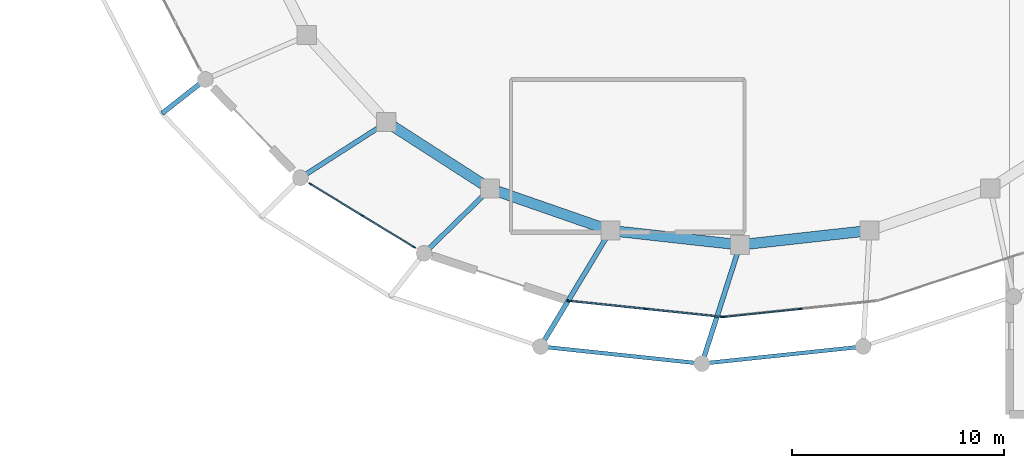
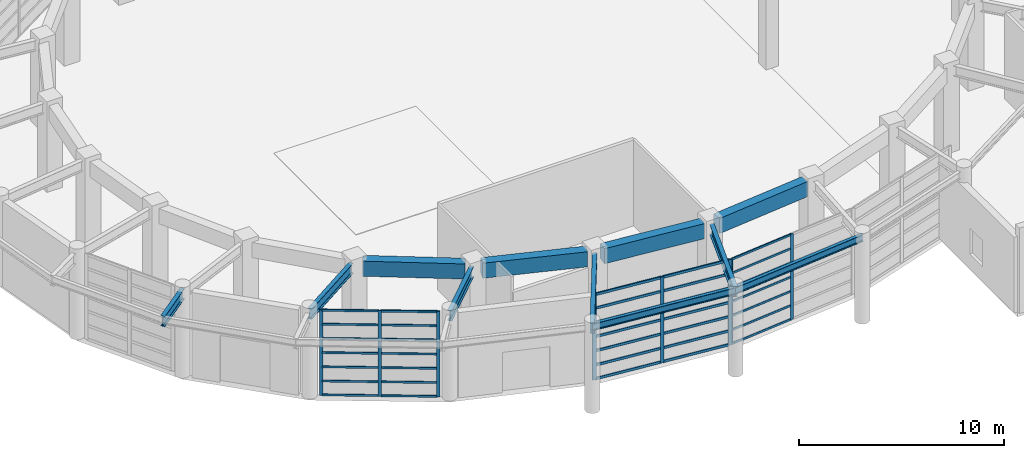
# One storey, part 3 of 52: 43 members, 11 beams, 3 elements without a shape of their own.
"""IFC4 building model written with IfcOpenShell, lengths in metres."""

from ifc_helpers import new_model, si_unit, direction, frame, origin, origin_2d, place, context, subcontext, project, spatial, rectangle, i_section, extrude, material, material_profile, profile_set, type_object, element, aggregate, save


model = new_model("IFC4")

# Units and contexts
model_context = context("Model", 3, precision=1e-05, world=origin(), true_north=direction((0.0, 1.0)))
body_context = subcontext(model_context, "Body", "Model", "MODEL_VIEW")
ifc_project = project(units=[si_unit("LENGTHUNIT", "METRE"), si_unit("AREAUNIT", "SQUARE_METRE"), si_unit("VOLUMEUNIT", "CUBIC_METRE"), si_unit("PLANEANGLEUNIT", "RADIAN"), si_unit("MASSUNIT", "GRAM", prefix="KILO")], contexts=[model_context])

# Site, building, storey
site_placement = place(None, origin())
site = spatial("IfcSite", under=ifc_project, at=site_placement, CompositionType="ELEMENT")
building_placement = place(site_placement, origin())
building = spatial("IfcBuilding", under=site, at=building_placement, Name="Parian Resonance Hall", CompositionType="ELEMENT")
storey_placement = place(building_placement, origin())
storey = spatial("IfcBuildingStorey", under=building, at=storey_placement, Name="L00", CompositionType="ELEMENT", Elevation=0.0)

# Beams
ifc_material_1 = material(Name="Concrete C40/50", Category="concrete")
ifc_material_profile_1 = material_profile(ifc_material_1, rectangle(XDim=0.5, YDim=0.89990234375, at=origin_2d()), Name="RC-BM-500x900")
ifc_profile_set_1 = profile_set([ifc_material_profile_1], Name="Concrete C40/50")
beam_type_1 = type_object("IfcBeamType", Name="BM-RC500x900", PredefinedType="USERDEFINED", material=ifc_profile_set_1)
beam_1_placement = place(storey_placement, frame((27.648681640625, 29.78271484375, 4.679931640625), z_axis=(0.840822266108, -0.541311293819, 0.0), x_axis=(0.541311293819, 0.840822266108, 0.0)))
element("IfcBeam", 1, at=beam_1_placement, inside=storey, type_object=beam_type_1, Name="Concert hall drum ring beam L00-16", ObjectType="GIRDER", PredefinedType="USERDEFINED", context=body_context, shape_type="SweptSolid", body=[
    extrude(rectangle(XDim=0.5, YDim=0.89990234375, at=origin_2d()), origin(), (0.0, 0.0, 1.0), 5.012939453125),
])
beam_2_placement = place(storey_placement, frame((32.577880859375, 26.721435546875, 4.679931640625), z_axis=(0.944593815742, -0.328241562362, 0.0), x_axis=(0.328241562362, 0.944593815742, 0.0)))
element("IfcBeam", 2, at=beam_2_placement, inside=storey, type_object=beam_type_1, Name="Concert hall drum ring beam L00-17", ObjectType="GIRDER", PredefinedType="USERDEFINED", context=body_context, shape_type="SweptSolid", body=[
    extrude(rectangle(XDim=0.5, YDim=0.89990234375, at=origin_2d()), origin(), (0.0, 0.0, 1.0), 5.225830078125),
])
for number, where, z_axis, x_axis, name in (
    (3, (38.28955078125, 24.830810546875, 4.679931640625), (0.993953165009, -0.109804853117, 0.0), (0.109804853117, 0.993953165009, 0.0), "Concert hall drum ring beam L00-18"),
    (4, (44.397705078125, 24.243896484375, 4.679931640625), (0.993953165009, 0.109804853117, 0.0), (-0.109804853117, 0.993953165009, 0.0), "Concert hall drum ring beam L00-19"),
):
    element("IfcBeam", number, at=place(storey_placement, frame(where, z_axis=z_axis, x_axis=x_axis)), inside=storey, type_object=beam_type_1, Name=name, ObjectType="GIRDER", PredefinedType="USERDEFINED", context=body_context, shape_type="SweptSolid", body=[
        extrude(rectangle(XDim=0.5, YDim=0.89990234375, at=origin_2d()), origin(), (0.0, 0.0, 1.0), 5.344970703125),
    ])
ifc_material_2 = material(Name="Steel S355", Category="steel")
ifc_material_profile_2 = material_profile(ifc_material_2, i_section(OverallWidth=0.180908203125, OverallDepth=0.4169921875, WebThickness=0.010986328125, FlangeThickness=0.018310546875, FilletRadius=0.01513671875, at=origin_2d()), Name="W410x85")
ifc_profile_set_2 = profile_set([ifc_material_profile_2], Name="Steel S355")
beam_type_2 = type_object("IfcBeamType", Name="BM-W410x85", PredefinedType="SPANDREL", material=ifc_profile_set_2)
beam_3_placement = place(storey_placement, frame((34.5908203125, 19.404296875, 4.92138671875), z_axis=(0.994461306256, -0.105103331819, 0.0), x_axis=(0.105103331819, 0.994461306256, 0.0)))
element("IfcBeam", 5, at=beam_3_placement, inside=storey, type_object=beam_type_2, Name="Elliptical R1 perimeter spandrel beam 18", PredefinedType="SPANDREL", context=body_context, shape_type="SweptSolid", body=[
    extrude(i_section(OverallWidth=0.180908203125, OverallDepth=0.4169921875, WebThickness=0.010986328125, FlangeThickness=0.018310546875, FilletRadius=0.01513671875, at=origin_2d()), origin(), (0.0, 0.0, 1.0), 7.651611328125),
])
beam_4_placement = place(storey_placement, frame((42.199951171875, 18.60009765625, 4.92138671875), z_axis=(0.994461658712, 0.105099996913, 0.0), x_axis=(-0.105099996913, 0.994461658712, 0.0)))
element("IfcBeam", 6, at=beam_4_placement, inside=storey, type_object=beam_type_2, Name="Elliptical R1 perimeter spandrel beam 19", PredefinedType="SPANDREL", context=body_context, shape_type="SweptSolid", body=[
    extrude(i_section(OverallWidth=0.180908203125, OverallDepth=0.4169921875, WebThickness=0.010986328125, FlangeThickness=0.018310546875, FilletRadius=0.01513671875, at=origin_2d()), origin(), (0.0, 0.0, 1.0), 7.65185546875),
])
ifc_material_3 = material(Name="Steel S355", Category="steel")
ifc_material_profile_3 = material_profile(ifc_material_3, i_section(OverallWidth=0.22998046875, OverallDepth=0.616943359375, WebThickness=0.01318359375, FlangeThickness=0.022216796875, FilletRadius=0.017822265625, at=origin_2d()), Name="W610x140")
ifc_profile_set_3 = profile_set([ifc_material_profile_3], Name="Steel S355")
beam_type_3 = type_object("IfcBeamType", Name="CG1 W610x140", PredefinedType="USERDEFINED", material=ifc_profile_set_3)
beam_5_placement = place(storey_placement, frame((18.778076171875, 32.0, 4.821533203125), z_axis=(-0.786697338614, -0.617338883773, 0.0), x_axis=(0.617338883773, -0.786697338614, 0.0)))
element("IfcBeam", 7, at=beam_5_placement, inside=storey, type_object=beam_type_3, Name="Radial ring cantilever girder R1-15", ObjectType="GIRDER", PredefinedType="USERDEFINED", context=body_context, shape_type="SweptSolid", body=[
    extrude(i_section(OverallWidth=0.22998046875, OverallDepth=0.616943359375, WebThickness=0.01318359375, FlangeThickness=0.022216796875, FilletRadius=0.017822265625, at=origin_2d()), origin(), (0.0, 0.0, 1.0), 2.592041015625),
])
beam_6_placement = place(storey_placement, frame((26.993896484375, 29.757080078125, 4.821533203125), z_axis=(-0.841632267779, -0.540051040027, 0.0), x_axis=(0.540051040027, -0.841632267779, 0.0)))
element("IfcBeam", 8, at=beam_6_placement, inside=storey, type_object=beam_type_3, Name="Radial ring back-span girder R1-16", ObjectType="GIRDER", PredefinedType="USERDEFINED", context=body_context, shape_type="SweptSolid", body=[
    extrude(i_section(OverallWidth=0.22998046875, OverallDepth=0.616943359375, WebThickness=0.01318359375, FlangeThickness=0.022216796875, FilletRadius=0.017822265625, at=origin_2d()), origin(), (0.0, 0.0, 1.0), 4.43701171875),
])
beam_7_placement = place(storey_placement, frame((31.9287109375, 26.558837890625, 4.821533203125), z_axis=(-0.716010951011, -0.698089047352, 0.0), x_axis=(0.698089047352, -0.716010951011, 0.0)))
element("IfcBeam", 9, at=beam_7_placement, inside=storey, type_object=beam_type_3, Name="Radial ring back-span girder R1-17", ObjectType="GIRDER", PredefinedType="USERDEFINED", context=body_context, shape_type="SweptSolid", body=[
    extrude(i_section(OverallWidth=0.22998046875, OverallDepth=0.616943359375, WebThickness=0.01318359375, FlangeThickness=0.022216796875, FilletRadius=0.017822265625, at=origin_2d()), origin(), (0.0, 0.0, 1.0), 3.950439453125),
])
beam_8_placement = place(storey_placement, frame((37.685302734375, 24.5322265625, 4.821533203125), z_axis=(-0.516670119869, -0.856184552088, 0.0), x_axis=(0.856184552088, -0.516670119869, 0.0)))
element("IfcBeam", 10, at=beam_8_placement, inside=storey, type_object=beam_type_3, Name="Radial spine girder R1-18", ObjectType="GIRDER", PredefinedType="USERDEFINED", context=body_context, shape_type="SweptSolid", body=[
    extrude(i_section(OverallWidth=0.22998046875, OverallDepth=0.616943359375, WebThickness=0.01318359375, FlangeThickness=0.022216796875, FilletRadius=0.017822265625, at=origin_2d()), origin(), (0.0, 0.0, 1.0), 5.9892578125),
])
beam_9_placement = place(storey_placement, frame((43.877685546875, 23.819091796875, 4.821533203125), z_axis=(-0.306042336685, -0.952017903275, 0.0), x_axis=(0.952017903275, -0.306042336685, 0.0)))
element("IfcBeam", 11, at=beam_9_placement, inside=storey, type_object=beam_type_3, Name="Radial spine girder R1-19", ObjectType="GIRDER", PredefinedType="USERDEFINED", context=body_context, shape_type="SweptSolid", body=[
    extrude(i_section(OverallWidth=0.22998046875, OverallDepth=0.616943359375, WebThickness=0.01318359375, FlangeThickness=0.022216796875, FilletRadius=0.017822265625, at=origin_2d()), origin(), (0.0, 0.0, 1.0), 5.48193359375),
])

# Curtain wall, members
ifc_material_4 = material(Name="Bronze-anodised aluminium frame", Category="aluminium")
curtain_wall_type_1 = type_object("IfcCurtainWallType", Name="CW-SYS-04", PredefinedType="NOTDEFINED", material=ifc_material_4)
curtain_wall_1_placement = place(storey_placement, origin())
curtain_wall_1 = element("IfcCurtainWall", 12, at=curtain_wall_1_placement, inside=storey, type_object=curtain_wall_type_1, Name="Grand foyer recessed base curtain wall 16", PredefinedType="NOTDEFINED")
ifc_material_5 = material(Name="Bronze-anodised aluminium frame", Category="aluminium")
ifc_material_profile_4 = material_profile(ifc_material_5, rectangle(XDim=0.06494140625, YDim=0.159912109375, at=origin_2d()), Name="CWM-65x160")
ifc_profile_set_4 = profile_set([ifc_material_profile_4], Name="Bronze-anodised aluminium frame")
member_type_1 = type_object("IfcMemberType", Name="CWM-65x160", PredefinedType="MULLION", material=ifc_profile_set_4)
member_1_placement = place(storey_placement, frame((28.6171875, 24.09521484375, -0.008056640625), z_axis=(0.0, 0.0, 1.0), x_axis=(-0.520463309161, -0.853884034174, 0.0)))
member_1 = element("IfcMember", 13, at=member_1_placement, type_object=member_type_1, Name="CW-04 mullion 1", PredefinedType="MULLION", context=body_context, shape_type="SweptSolid", body=[
    extrude(rectangle(XDim=0.06494140625, YDim=0.159912109375, at=origin_2d()), origin(), (0.0, 0.0, 1.0), 5.09814453125),
])
member_2_placement = place(storey_placement, frame((26.1796875, 25.580810546875, -0.008056640625), z_axis=(0.0, 0.0, 1.0), x_axis=(-0.520463309161, -0.853884034174, 0.0)))
member_2 = element("IfcMember", 14, at=member_2_placement, type_object=member_type_1, Name="CW-04 mullion 2", PredefinedType="MULLION", context=body_context, shape_type="SweptSolid", body=[
    extrude(rectangle(XDim=0.06494140625, YDim=0.159912109375, at=origin_2d()), origin(), (0.0, 0.0, 1.0), 5.09814453125),
])
member_3_placement = place(storey_placement, frame((23.742431640625, 27.066650390625, -0.008056640625), z_axis=(0.0, 0.0, 1.0), x_axis=(-0.520463309161, -0.853884034174, 0.0)))
member_3 = element("IfcMember", 15, at=member_3_placement, type_object=member_type_1, Name="CW-04 mullion 3", PredefinedType="MULLION", context=body_context, shape_type="SweptSolid", body=[
    extrude(rectangle(XDim=0.06494140625, YDim=0.159912109375, at=origin_2d()), origin(), (0.0, 0.0, 1.0), 5.09814453125),
])

ifc_material_6 = material(Name="Bronze-anodised aluminium frame", Category="aluminium")
curtain_wall_type_2 = type_object("IfcCurtainWallType", Name="CW-SYS-01", PredefinedType="NOTDEFINED", material=ifc_material_6)
curtain_wall_2_placement = place(storey_placement, origin())
curtain_wall_2 = element("IfcCurtainWall", 16, at=curtain_wall_2_placement, inside=storey, type_object=curtain_wall_type_2, Name="Grand foyer recessed base curtain wall 19", PredefinedType="NOTDEFINED")
member_4_placement = place(storey_placement, frame((46.849365234375, 21.181640625, -0.008056640625), z_axis=(0.0, 0.0, 1.0), x_axis=(0.104013017637, -0.994575935845, 0.0)))
member_4 = element("IfcMember", 17, at=member_4_placement, type_object=member_type_1, Name="CW-01 mullion 2", PredefinedType="MULLION", context=body_context, shape_type="SweptSolid", body=[
    extrude(rectangle(XDim=0.06494140625, YDim=0.159912109375, at=origin_2d()), origin(), (0.0, 0.0, 1.0), 5.09814453125),
])
member_5_placement = place(storey_placement, frame((43.232421875, 20.803466796875, -0.008056640625), z_axis=(0.0, 0.0, 1.0), x_axis=(0.104013017637, -0.994575935845, 0.0)))
member_5 = element("IfcMember", 18, at=member_5_placement, type_object=member_type_1, Name="CW-01 mullion 3", PredefinedType="MULLION", context=body_context, shape_type="SweptSolid", body=[
    extrude(rectangle(XDim=0.06494140625, YDim=0.159912109375, at=origin_2d()), origin(), (0.0, 0.0, 1.0), 5.09814453125),
])

ifc_material_7 = material(Name="Bronze-anodised aluminium frame", Category="aluminium")
curtain_wall_type_3 = type_object("IfcCurtainWallType", Name="CW-SYS-06", PredefinedType="NOTDEFINED", material=ifc_material_7)
curtain_wall_3_placement = place(storey_placement, origin())
curtain_wall_3 = element("IfcCurtainWall", 19, at=curtain_wall_3_placement, inside=storey, type_object=curtain_wall_type_3, Name="Grand foyer recessed base curtain wall 18", PredefinedType="NOTDEFINED")
ifc_material_8 = material(Name="Bronze-anodised aluminium frame", Category="aluminium")
ifc_material_profile_5 = material_profile(ifc_material_8, rectangle(XDim=0.074951171875, YDim=0.199951171875, at=origin_2d()), Name="CWM-75x200")
ifc_profile_set_5 = profile_set([ifc_material_profile_5], Name="Bronze-anodised aluminium frame")
member_type_2 = type_object("IfcMemberType", Name="CWM-75x200", PredefinedType="MULLION", material=ifc_profile_set_5)
member_6_placement = place(storey_placement, frame((43.16259765625, 20.803955078125, -0.008056640625), z_axis=(0.0, 0.0, 1.0), x_axis=(-0.104013017637, -0.994575935845, 0.0)))
member_6 = element("IfcMember", 20, at=member_6_placement, type_object=member_type_2, Name="CW-06 mullion 1", PredefinedType="MULLION", context=body_context, shape_type="SweptSolid", body=[
    extrude(rectangle(XDim=0.074951171875, YDim=0.199951171875, at=origin_2d()), origin(), (0.0, 0.0, 1.0), 5.09814453125),
])
member_7_placement = place(storey_placement, frame((39.550537109375, 21.181640625, -0.008056640625), z_axis=(0.0, 0.0, 1.0), x_axis=(-0.104013017637, -0.994575935845, 0.0)))
member_7 = element("IfcMember", 21, at=member_7_placement, type_object=member_type_2, Name="CW-06 mullion 2", PredefinedType="MULLION", context=body_context, shape_type="SweptSolid", body=[
    extrude(rectangle(XDim=0.074951171875, YDim=0.199951171875, at=origin_2d()), origin(), (0.0, 0.0, 1.0), 5.09814453125),
])
member_8_placement = place(storey_placement, frame((35.9384765625, 21.559326171875, -0.008056640625), z_axis=(0.0, 0.0, 1.0), x_axis=(-0.104013017637, -0.994575935845, 0.0)))
member_8 = element("IfcMember", 22, at=member_8_placement, type_object=member_type_2, Name="CW-06 mullion 3", PredefinedType="MULLION", context=body_context, shape_type="SweptSolid", body=[
    extrude(rectangle(XDim=0.074951171875, YDim=0.199951171875, at=origin_2d()), origin(), (0.0, 0.0, 1.0), 5.09814453125),
])

# Member
ifc_material_9 = material(Name="Bronze-anodised aluminium frame", Category="aluminium")
ifc_material_profile_6 = material_profile(ifc_material_9, rectangle(XDim=0.06494140625, YDim=0.1201171875, at=origin_2d()), Name="CWT-65x120")
ifc_profile_set_6 = profile_set([ifc_material_profile_6], Name="Bronze-anodised aluminium frame")
member_type_3 = type_object("IfcMemberType", Name="CWT-65x120", PredefinedType="USERDEFINED", material=ifc_profile_set_6)
member_9_placement = place(storey_placement, frame((28.589599609375, 24.112060546875, 0.0244140625), z_axis=(-0.853889142696, 0.52045492791, 0.0), x_axis=(-0.52045492791, -0.853889142696, 0.0)))
member_9 = element("IfcMember", 23, at=member_9_placement, type_object=member_type_3, Name="CW-04 transom 1.1", ObjectType="TRANSOM", PredefinedType="USERDEFINED", context=body_context, shape_type="SweptSolid", body=[
    extrude(rectangle(XDim=0.06494140625, YDim=0.1201171875, at=origin_2d()), origin(), (0.0, 0.0, 1.0), 2.789794921875),
])

member_10_placement = place(storey_placement, frame((28.589599609375, 24.112060546875, 0.8466796875), z_axis=(-0.853889142696, 0.52045492791, 0.0), x_axis=(-0.52045492791, -0.853889142696, 0.0)))
member_10 = element("IfcMember", 24, at=member_10_placement, type_object=member_type_3, Name="CW-04 transom 1.2", ObjectType="TRANSOM", PredefinedType="USERDEFINED", context=body_context, shape_type="SweptSolid", body=[
    extrude(rectangle(XDim=0.06494140625, YDim=0.1201171875, at=origin_2d()), origin(), (0.0, 0.0, 1.0), 2.789794921875),
])

member_11_placement = place(storey_placement, frame((28.589599609375, 24.112060546875, 1.693359375), z_axis=(-0.853889142696, 0.52045492791, 0.0), x_axis=(-0.52045492791, -0.853889142696, 0.0)))
member_11 = element("IfcMember", 25, at=member_11_placement, type_object=member_type_3, Name="CW-04 transom 1.3", ObjectType="TRANSOM", PredefinedType="USERDEFINED", context=body_context, shape_type="SweptSolid", body=[
    extrude(rectangle(XDim=0.06494140625, YDim=0.1201171875, at=origin_2d()), origin(), (0.0, 0.0, 1.0), 2.789794921875),
])

member_12_placement = place(storey_placement, frame((28.589599609375, 24.112060546875, 2.5400390625), z_axis=(-0.853889142696, 0.52045492791, 0.0), x_axis=(-0.52045492791, -0.853889142696, 0.0)))
member_12 = element("IfcMember", 26, at=member_12_placement, type_object=member_type_3, Name="CW-04 transom 1.4", ObjectType="TRANSOM", PredefinedType="USERDEFINED", context=body_context, shape_type="SweptSolid", body=[
    extrude(rectangle(XDim=0.06494140625, YDim=0.1201171875, at=origin_2d()), origin(), (0.0, 0.0, 1.0), 2.789794921875),
])

member_13_placement = place(storey_placement, frame((28.589599609375, 24.112060546875, 3.38671875), z_axis=(-0.853889142696, 0.52045492791, 0.0), x_axis=(-0.52045492791, -0.853889142696, 0.0)))
member_13 = element("IfcMember", 27, at=member_13_placement, type_object=member_type_3, Name="CW-04 transom 1.5", ObjectType="TRANSOM", PredefinedType="USERDEFINED", context=body_context, shape_type="SweptSolid", body=[
    extrude(rectangle(XDim=0.06494140625, YDim=0.1201171875, at=origin_2d()), origin(), (0.0, 0.0, 1.0), 2.789794921875),
])

member_14_placement = place(storey_placement, frame((28.589599609375, 24.112060546875, 4.2333984375), z_axis=(-0.853889142696, 0.52045492791, 0.0), x_axis=(-0.52045492791, -0.853889142696, 0.0)))
member_14 = element("IfcMember", 28, at=member_14_placement, type_object=member_type_3, Name="CW-04 transom 1.6", ObjectType="TRANSOM", PredefinedType="USERDEFINED", context=body_context, shape_type="SweptSolid", body=[
    extrude(rectangle(XDim=0.06494140625, YDim=0.1201171875, at=origin_2d()), origin(), (0.0, 0.0, 1.0), 2.789794921875),
])

member_15_placement = place(storey_placement, frame((28.589599609375, 24.112060546875, 5.0576171875), z_axis=(-0.853889142696, 0.52045492791, 0.0), x_axis=(-0.52045492791, -0.853889142696, 0.0)))
member_15 = element("IfcMember", 29, at=member_15_placement, type_object=member_type_3, Name="CW-04 transom 1.7", ObjectType="TRANSOM", PredefinedType="USERDEFINED", context=body_context, shape_type="SweptSolid", body=[
    extrude(rectangle(XDim=0.06494140625, YDim=0.1201171875, at=origin_2d()), origin(), (0.0, 0.0, 1.0), 2.789794921875),
])

member_16_placement = place(storey_placement, frame((26.152099609375, 25.597900390625, 0.0244140625), z_axis=(-0.853928034936, 0.520391113634, 0.0), x_axis=(-0.520391113634, -0.853928034936, 0.0)))
member_16 = element("IfcMember", 30, at=member_16_placement, type_object=member_type_3, Name="CW-04 transom 2.1", ObjectType="TRANSOM", PredefinedType="USERDEFINED", context=body_context, shape_type="SweptSolid", body=[
    extrude(rectangle(XDim=0.06494140625, YDim=0.1201171875, at=origin_2d()), origin(), (0.0, 0.0, 1.0), 2.78955078125),
])

member_17_placement = place(storey_placement, frame((26.152099609375, 25.597900390625, 0.8466796875), z_axis=(-0.853928034936, 0.520391113634, 0.0), x_axis=(-0.520391113634, -0.853928034936, 0.0)))
member_17 = element("IfcMember", 31, at=member_17_placement, type_object=member_type_3, Name="CW-04 transom 2.2", ObjectType="TRANSOM", PredefinedType="USERDEFINED", context=body_context, shape_type="SweptSolid", body=[
    extrude(rectangle(XDim=0.06494140625, YDim=0.1201171875, at=origin_2d()), origin(), (0.0, 0.0, 1.0), 2.78955078125),
])

member_18_placement = place(storey_placement, frame((26.152099609375, 25.597900390625, 1.693359375), z_axis=(-0.853928034936, 0.520391113634, 0.0), x_axis=(-0.520391113634, -0.853928034936, 0.0)))
member_18 = element("IfcMember", 32, at=member_18_placement, type_object=member_type_3, Name="CW-04 transom 2.3", ObjectType="TRANSOM", PredefinedType="USERDEFINED", context=body_context, shape_type="SweptSolid", body=[
    extrude(rectangle(XDim=0.06494140625, YDim=0.1201171875, at=origin_2d()), origin(), (0.0, 0.0, 1.0), 2.78955078125),
])

member_19_placement = place(storey_placement, frame((26.152099609375, 25.597900390625, 2.5400390625), z_axis=(-0.853928034936, 0.520391113634, 0.0), x_axis=(-0.520391113634, -0.853928034936, 0.0)))
member_19 = element("IfcMember", 33, at=member_19_placement, type_object=member_type_3, Name="CW-04 transom 2.4", ObjectType="TRANSOM", PredefinedType="USERDEFINED", context=body_context, shape_type="SweptSolid", body=[
    extrude(rectangle(XDim=0.06494140625, YDim=0.1201171875, at=origin_2d()), origin(), (0.0, 0.0, 1.0), 2.78955078125),
])

member_20_placement = place(storey_placement, frame((26.152099609375, 25.597900390625, 3.38671875), z_axis=(-0.853928034936, 0.520391113634, 0.0), x_axis=(-0.520391113634, -0.853928034936, 0.0)))
member_20 = element("IfcMember", 34, at=member_20_placement, type_object=member_type_3, Name="CW-04 transom 2.5", ObjectType="TRANSOM", PredefinedType="USERDEFINED", context=body_context, shape_type="SweptSolid", body=[
    extrude(rectangle(XDim=0.06494140625, YDim=0.1201171875, at=origin_2d()), origin(), (0.0, 0.0, 1.0), 2.78955078125),
])

member_21_placement = place(storey_placement, frame((26.152099609375, 25.597900390625, 4.2333984375), z_axis=(-0.853928034936, 0.520391113634, 0.0), x_axis=(-0.520391113634, -0.853928034936, 0.0)))
member_21 = element("IfcMember", 35, at=member_21_placement, type_object=member_type_3, Name="CW-04 transom 2.6", ObjectType="TRANSOM", PredefinedType="USERDEFINED", context=body_context, shape_type="SweptSolid", body=[
    extrude(rectangle(XDim=0.06494140625, YDim=0.1201171875, at=origin_2d()), origin(), (0.0, 0.0, 1.0), 2.78955078125),
])

member_22_placement = place(storey_placement, frame((26.152099609375, 25.597900390625, 5.0576171875), z_axis=(-0.853928034936, 0.520391113634, 0.0), x_axis=(-0.520391113634, -0.853928034936, 0.0)))
member_22 = element("IfcMember", 36, at=member_22_placement, type_object=member_type_3, Name="CW-04 transom 2.7", ObjectType="TRANSOM", PredefinedType="USERDEFINED", context=body_context, shape_type="SweptSolid", body=[
    extrude(rectangle(XDim=0.06494140625, YDim=0.1201171875, at=origin_2d()), origin(), (0.0, 0.0, 1.0), 2.78955078125),
])

aggregate(curtain_wall_1, [member_1, member_2, member_3, member_9, member_10, member_11, member_12, member_13, member_14, member_15, member_16, member_17, member_18, member_19, member_20, member_21, member_22])

member_23_placement = place(storey_placement, frame((46.817138671875, 21.17822265625, 0.0244140625), z_axis=(-0.994574150143, -0.104030091163, 0.0), x_axis=(0.104030091163, -0.994574150143, 0.0)))
member_23 = element("IfcMember", 37, at=member_23_placement, type_object=member_type_3, Name="CW-01 transom 2.1", ObjectType="TRANSOM", PredefinedType="USERDEFINED", context=body_context, shape_type="SweptSolid", body=[
    extrude(rectangle(XDim=0.06494140625, YDim=0.1201171875, at=origin_2d()), origin(), (0.0, 0.0, 1.0), 3.57177734375),
])

member_24_placement = place(storey_placement, frame((46.817138671875, 21.17822265625, 0.8466796875), z_axis=(-0.994574150143, -0.104030091163, 0.0), x_axis=(0.104030091163, -0.994574150143, 0.0)))
member_24 = element("IfcMember", 38, at=member_24_placement, type_object=member_type_3, Name="CW-01 transom 2.2", ObjectType="TRANSOM", PredefinedType="USERDEFINED", context=body_context, shape_type="SweptSolid", body=[
    extrude(rectangle(XDim=0.06494140625, YDim=0.1201171875, at=origin_2d()), origin(), (0.0, 0.0, 1.0), 3.57177734375),
])

member_25_placement = place(storey_placement, frame((46.817138671875, 21.17822265625, 1.693359375), z_axis=(-0.994574150143, -0.104030091163, 0.0), x_axis=(0.104030091163, -0.994574150143, 0.0)))
member_25 = element("IfcMember", 39, at=member_25_placement, type_object=member_type_3, Name="CW-01 transom 2.3", ObjectType="TRANSOM", PredefinedType="USERDEFINED", context=body_context, shape_type="SweptSolid", body=[
    extrude(rectangle(XDim=0.06494140625, YDim=0.1201171875, at=origin_2d()), origin(), (0.0, 0.0, 1.0), 3.57177734375),
])

member_26_placement = place(storey_placement, frame((46.817138671875, 21.17822265625, 2.5400390625), z_axis=(-0.994574150143, -0.104030091163, 0.0), x_axis=(0.104030091163, -0.994574150143, 0.0)))
member_26 = element("IfcMember", 40, at=member_26_placement, type_object=member_type_3, Name="CW-01 transom 2.4", ObjectType="TRANSOM", PredefinedType="USERDEFINED", context=body_context, shape_type="SweptSolid", body=[
    extrude(rectangle(XDim=0.06494140625, YDim=0.1201171875, at=origin_2d()), origin(), (0.0, 0.0, 1.0), 3.57177734375),
])

member_27_placement = place(storey_placement, frame((46.817138671875, 21.17822265625, 3.38671875), z_axis=(-0.994574150143, -0.104030091163, 0.0), x_axis=(0.104030091163, -0.994574150143, 0.0)))
member_27 = element("IfcMember", 41, at=member_27_placement, type_object=member_type_3, Name="CW-01 transom 2.5", ObjectType="TRANSOM", PredefinedType="USERDEFINED", context=body_context, shape_type="SweptSolid", body=[
    extrude(rectangle(XDim=0.06494140625, YDim=0.1201171875, at=origin_2d()), origin(), (0.0, 0.0, 1.0), 3.57177734375),
])

member_28_placement = place(storey_placement, frame((46.817138671875, 21.17822265625, 4.2333984375), z_axis=(-0.994574150143, -0.104030091163, 0.0), x_axis=(0.104030091163, -0.994574150143, 0.0)))
member_28 = element("IfcMember", 42, at=member_28_placement, type_object=member_type_3, Name="CW-01 transom 2.6", ObjectType="TRANSOM", PredefinedType="USERDEFINED", context=body_context, shape_type="SweptSolid", body=[
    extrude(rectangle(XDim=0.06494140625, YDim=0.1201171875, at=origin_2d()), origin(), (0.0, 0.0, 1.0), 3.57177734375),
])

member_29_placement = place(storey_placement, frame((46.817138671875, 21.17822265625, 5.0576171875), z_axis=(-0.994574150143, -0.104030091163, 0.0), x_axis=(0.104030091163, -0.994574150143, 0.0)))
member_29 = element("IfcMember", 43, at=member_29_placement, type_object=member_type_3, Name="CW-01 transom 2.7", ObjectType="TRANSOM", PredefinedType="USERDEFINED", context=body_context, shape_type="SweptSolid", body=[
    extrude(rectangle(XDim=0.06494140625, YDim=0.1201171875, at=origin_2d()), origin(), (0.0, 0.0, 1.0), 3.57177734375),
])

aggregate(curtain_wall_2, [member_4, member_5, member_23, member_24, member_25, member_26, member_27, member_28, member_29])

ifc_material_10 = material(Name="Bronze-anodised aluminium frame", Category="aluminium")
ifc_material_profile_7 = material_profile(ifc_material_10, rectangle(XDim=0.074951171875, YDim=0.14990234375, at=origin_2d()), Name="CWT-75x150")
ifc_profile_set_7 = profile_set([ifc_material_profile_7], Name="Bronze-anodised aluminium frame")
member_type_4 = type_object("IfcMemberType", Name="CWT-75x150", PredefinedType="USERDEFINED", material=ifc_profile_set_7)
member_30_placement = place(storey_placement, frame((43.12548828125, 20.807861328125, 0.029541015625), z_axis=(-0.994578549122, 0.103988026358, 0.0), x_axis=(-0.103988026358, -0.994578549122, 0.0)))
member_30 = element("IfcMember", 44, at=member_30_placement, type_object=member_type_4, Name="CW-06 transom 1.1", ObjectType="TRANSOM", PredefinedType="USERDEFINED", context=body_context, shape_type="SweptSolid", body=[
    extrude(rectangle(XDim=0.074951171875, YDim=0.14990234375, at=origin_2d()), origin(), (0.0, 0.0, 1.0), 3.556884765625),
])

member_31_placement = place(storey_placement, frame((43.12548828125, 20.807861328125, 0.8466796875), z_axis=(-0.994578549122, 0.103988026358, 0.0), x_axis=(-0.103988026358, -0.994578549122, 0.0)))
member_31 = element("IfcMember", 45, at=member_31_placement, type_object=member_type_4, Name="CW-06 transom 1.2", ObjectType="TRANSOM", PredefinedType="USERDEFINED", context=body_context, shape_type="SweptSolid", body=[
    extrude(rectangle(XDim=0.074951171875, YDim=0.14990234375, at=origin_2d()), origin(), (0.0, 0.0, 1.0), 3.556884765625),
])

member_32_placement = place(storey_placement, frame((43.12548828125, 20.807861328125, 1.693359375), z_axis=(-0.994578549122, 0.103988026358, 0.0), x_axis=(-0.103988026358, -0.994578549122, 0.0)))
member_32 = element("IfcMember", 46, at=member_32_placement, type_object=member_type_4, Name="CW-06 transom 1.3", ObjectType="TRANSOM", PredefinedType="USERDEFINED", context=body_context, shape_type="SweptSolid", body=[
    extrude(rectangle(XDim=0.074951171875, YDim=0.14990234375, at=origin_2d()), origin(), (0.0, 0.0, 1.0), 3.556884765625),
])

member_33_placement = place(storey_placement, frame((43.12548828125, 20.807861328125, 2.5400390625), z_axis=(-0.994578549122, 0.103988026358, 0.0), x_axis=(-0.103988026358, -0.994578549122, 0.0)))
member_33 = element("IfcMember", 47, at=member_33_placement, type_object=member_type_4, Name="CW-06 transom 1.4", ObjectType="TRANSOM", PredefinedType="USERDEFINED", context=body_context, shape_type="SweptSolid", body=[
    extrude(rectangle(XDim=0.074951171875, YDim=0.14990234375, at=origin_2d()), origin(), (0.0, 0.0, 1.0), 3.556884765625),
])

member_34_placement = place(storey_placement, frame((43.12548828125, 20.807861328125, 3.38671875), z_axis=(-0.994578549122, 0.103988026358, 0.0), x_axis=(-0.103988026358, -0.994578549122, 0.0)))
member_34 = element("IfcMember", 48, at=member_34_placement, type_object=member_type_4, Name="CW-06 transom 1.5", ObjectType="TRANSOM", PredefinedType="USERDEFINED", context=body_context, shape_type="SweptSolid", body=[
    extrude(rectangle(XDim=0.074951171875, YDim=0.14990234375, at=origin_2d()), origin(), (0.0, 0.0, 1.0), 3.556884765625),
])

member_35_placement = place(storey_placement, frame((43.12548828125, 20.807861328125, 4.2333984375), z_axis=(-0.994578549122, 0.103988026358, 0.0), x_axis=(-0.103988026358, -0.994578549122, 0.0)))
member_35 = element("IfcMember", 49, at=member_35_placement, type_object=member_type_4, Name="CW-06 transom 1.6", ObjectType="TRANSOM", PredefinedType="USERDEFINED", context=body_context, shape_type="SweptSolid", body=[
    extrude(rectangle(XDim=0.074951171875, YDim=0.14990234375, at=origin_2d()), origin(), (0.0, 0.0, 1.0), 3.556884765625),
])

member_36_placement = place(storey_placement, frame((43.12548828125, 20.807861328125, 5.052490234375), z_axis=(-0.994578549122, 0.103988026358, 0.0), x_axis=(-0.103988026358, -0.994578549122, 0.0)))
member_36 = element("IfcMember", 50, at=member_36_placement, type_object=member_type_4, Name="CW-06 transom 1.7", ObjectType="TRANSOM", PredefinedType="USERDEFINED", context=body_context, shape_type="SweptSolid", body=[
    extrude(rectangle(XDim=0.074951171875, YDim=0.14990234375, at=origin_2d()), origin(), (0.0, 0.0, 1.0), 3.556884765625),
])

member_37_placement = place(storey_placement, frame((39.513427734375, 21.185546875, 0.029541015625), z_axis=(-0.994578549122, 0.103988026358, 0.0), x_axis=(-0.103988026358, -0.994578549122, 0.0)))
member_37 = element("IfcMember", 51, at=member_37_placement, type_object=member_type_4, Name="CW-06 transom 2.1", ObjectType="TRANSOM", PredefinedType="USERDEFINED", context=body_context, shape_type="SweptSolid", body=[
    extrude(rectangle(XDim=0.074951171875, YDim=0.14990234375, at=origin_2d()), origin(), (0.0, 0.0, 1.0), 3.556884765625),
])

member_38_placement = place(storey_placement, frame((39.513427734375, 21.185546875, 0.8466796875), z_axis=(-0.994578549122, 0.103988026358, 0.0), x_axis=(-0.103988026358, -0.994578549122, 0.0)))
member_38 = element("IfcMember", 52, at=member_38_placement, type_object=member_type_4, Name="CW-06 transom 2.2", ObjectType="TRANSOM", PredefinedType="USERDEFINED", context=body_context, shape_type="SweptSolid", body=[
    extrude(rectangle(XDim=0.074951171875, YDim=0.14990234375, at=origin_2d()), origin(), (0.0, 0.0, 1.0), 3.556884765625),
])

member_39_placement = place(storey_placement, frame((39.513427734375, 21.185546875, 1.693359375), z_axis=(-0.994578549122, 0.103988026358, 0.0), x_axis=(-0.103988026358, -0.994578549122, 0.0)))
member_39 = element("IfcMember", 53, at=member_39_placement, type_object=member_type_4, Name="CW-06 transom 2.3", ObjectType="TRANSOM", PredefinedType="USERDEFINED", context=body_context, shape_type="SweptSolid", body=[
    extrude(rectangle(XDim=0.074951171875, YDim=0.14990234375, at=origin_2d()), origin(), (0.0, 0.0, 1.0), 3.556884765625),
])

member_40_placement = place(storey_placement, frame((39.513427734375, 21.185546875, 2.5400390625), z_axis=(-0.994578549122, 0.103988026358, 0.0), x_axis=(-0.103988026358, -0.994578549122, 0.0)))
member_40 = element("IfcMember", 54, at=member_40_placement, type_object=member_type_4, Name="CW-06 transom 2.4", ObjectType="TRANSOM", PredefinedType="USERDEFINED", context=body_context, shape_type="SweptSolid", body=[
    extrude(rectangle(XDim=0.074951171875, YDim=0.14990234375, at=origin_2d()), origin(), (0.0, 0.0, 1.0), 3.556884765625),
])

member_41_placement = place(storey_placement, frame((39.513427734375, 21.185546875, 3.38671875), z_axis=(-0.994578549122, 0.103988026358, 0.0), x_axis=(-0.103988026358, -0.994578549122, 0.0)))
member_41 = element("IfcMember", 55, at=member_41_placement, type_object=member_type_4, Name="CW-06 transom 2.5", ObjectType="TRANSOM", PredefinedType="USERDEFINED", context=body_context, shape_type="SweptSolid", body=[
    extrude(rectangle(XDim=0.074951171875, YDim=0.14990234375, at=origin_2d()), origin(), (0.0, 0.0, 1.0), 3.556884765625),
])

member_42_placement = place(storey_placement, frame((39.513427734375, 21.185546875, 4.2333984375), z_axis=(-0.994578549122, 0.103988026358, 0.0), x_axis=(-0.103988026358, -0.994578549122, 0.0)))
member_42 = element("IfcMember", 56, at=member_42_placement, type_object=member_type_4, Name="CW-06 transom 2.6", ObjectType="TRANSOM", PredefinedType="USERDEFINED", context=body_context, shape_type="SweptSolid", body=[
    extrude(rectangle(XDim=0.074951171875, YDim=0.14990234375, at=origin_2d()), origin(), (0.0, 0.0, 1.0), 3.556884765625),
])

member_43_placement = place(storey_placement, frame((39.513427734375, 21.185546875, 5.052490234375), z_axis=(-0.994578549122, 0.103988026358, 0.0), x_axis=(-0.103988026358, -0.994578549122, 0.0)))
member_43 = element("IfcMember", 57, at=member_43_placement, type_object=member_type_4, Name="CW-06 transom 2.7", ObjectType="TRANSOM", PredefinedType="USERDEFINED", context=body_context, shape_type="SweptSolid", body=[
    extrude(rectangle(XDim=0.074951171875, YDim=0.14990234375, at=origin_2d()), origin(), (0.0, 0.0, 1.0), 3.556884765625),
])

aggregate(curtain_wall_3, [member_6, member_7, member_8, member_30, member_31, member_32, member_33, member_34, member_35, member_36, member_37, member_38, member_39, member_40, member_41, member_42, member_43])

save(model, "model.ifc")
